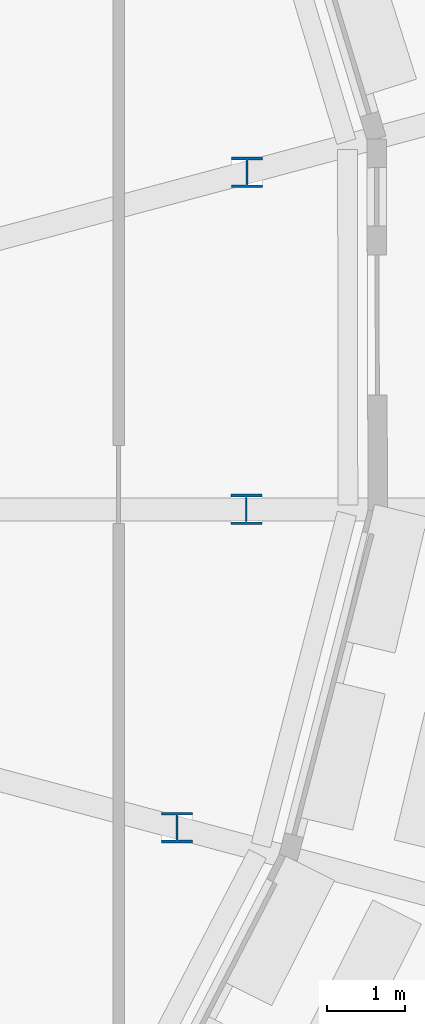
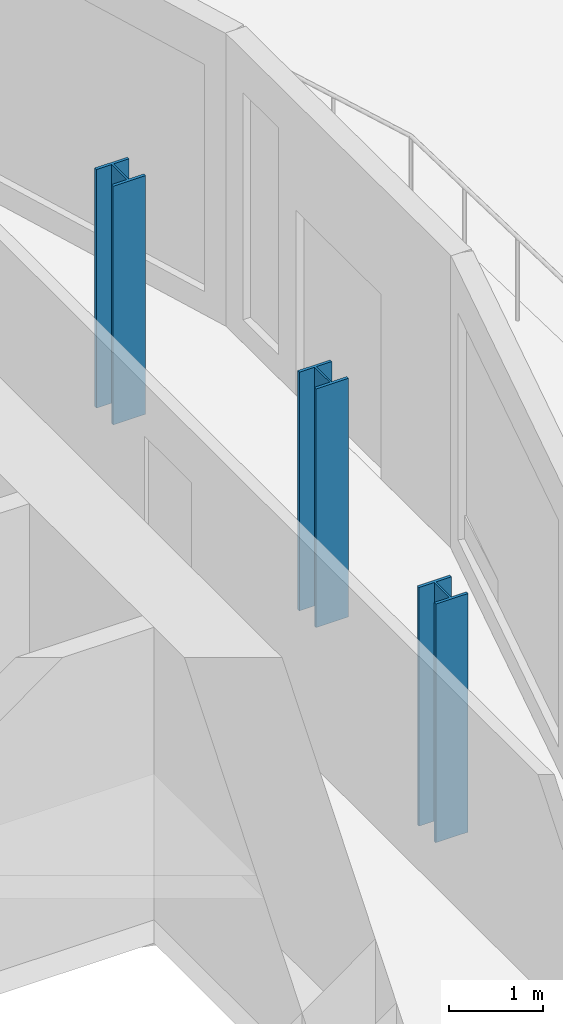
# One storey, part 2 of 47: 3 columns.
"""IFC4 building model written with IfcOpenShell, lengths in metres."""

from ifc_helpers import new_model, si_unit, direction, frame, origin, origin_2d, place, context, subcontext, project, spatial, i_section, extrude, material, material_profile, profile_set, type_object, element, save


model = new_model("IFC4")

# Units and contexts
model_context = context("Model", 3, precision=1e-05, world=origin(), true_north=direction((0.0, 1.0)))
body_context = subcontext(model_context, "Body", "Model", "MODEL_VIEW")
ifc_project = project(units=[si_unit("LENGTHUNIT", "METRE"), si_unit("AREAUNIT", "SQUARE_METRE"), si_unit("VOLUMEUNIT", "CUBIC_METRE"), si_unit("PLANEANGLEUNIT", "RADIAN"), si_unit("MASSUNIT", "GRAM", prefix="KILO")], contexts=[model_context])

# Site, building, storey
site_placement = place(None, origin())
site = spatial("IfcSite", under=ifc_project, at=site_placement, CompositionType="ELEMENT")
building_placement = place(site_placement, origin())
building = spatial("IfcBuilding", under=site, at=building_placement, Name="Rimbun Link Towers", CompositionType="ELEMENT")
storey_placement = place(building_placement, frame((0.0, 0.0, 30.0)))
storey = spatial("IfcBuildingStorey", under=building, at=storey_placement, Name="L06", CompositionType="ELEMENT", Elevation=30.0)

# Columns
ifc_material = material(Name="Steel S355J2", Category="steel")
ifc_material_profile = material_profile(ifc_material, i_section(OverallWidth=0.39892578125, OverallDepth=0.3935546875, WebThickness=0.022705078125, FlangeThickness=0.03662109375, at=origin_2d()), Name="UC 356x406x287")
ifc_profile_set = profile_set([ifc_material_profile], Name="Steel S355J2")
column_type = type_object("IfcColumnType", Name="UC 356x406x287", PredefinedType="COLUMN", material=ifc_profile_set)
for number, where, z_axis, x_axis, name in (
    (1, (47.0244140625, -4.0927734375, -0.300048828125), (0.0, 0.0, 1.0), (1.0, 0.0, 0.0), "Crease post T2 L06 20"),
    (2, (47.91796875, 0.0, -0.300048828125), (0.0, 0.0, 1.0), (1.0, 0.0, 0.0), "Crease post T2 L06 21"),
    (3, (47.92822265625, 4.3349609375, -0.300048828125), (0.0, 0.0, 1.0), (1.0, 0.0, 0.0), "Crease post T2 L06 22"),
):
    element("IfcColumn", number, at=place(storey_placement, frame(where, z_axis=z_axis, x_axis=x_axis)), inside=storey, type_object=column_type, Name=name, PredefinedType="COLUMN", context=body_context, shape_type="SweptSolid", body=[
        extrude(i_section(OverallWidth=0.39892578125, OverallDepth=0.3935546875, WebThickness=0.022705078125, FlangeThickness=0.03662109375, at=origin_2d()), origin(), (0.0, 0.0, 1.0), 3.099365234375),
    ])

save(model, "model.ifc")
